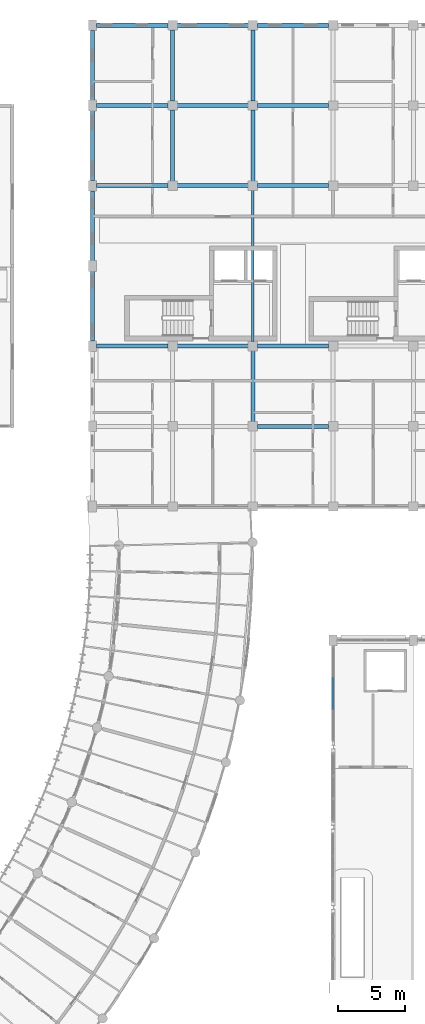
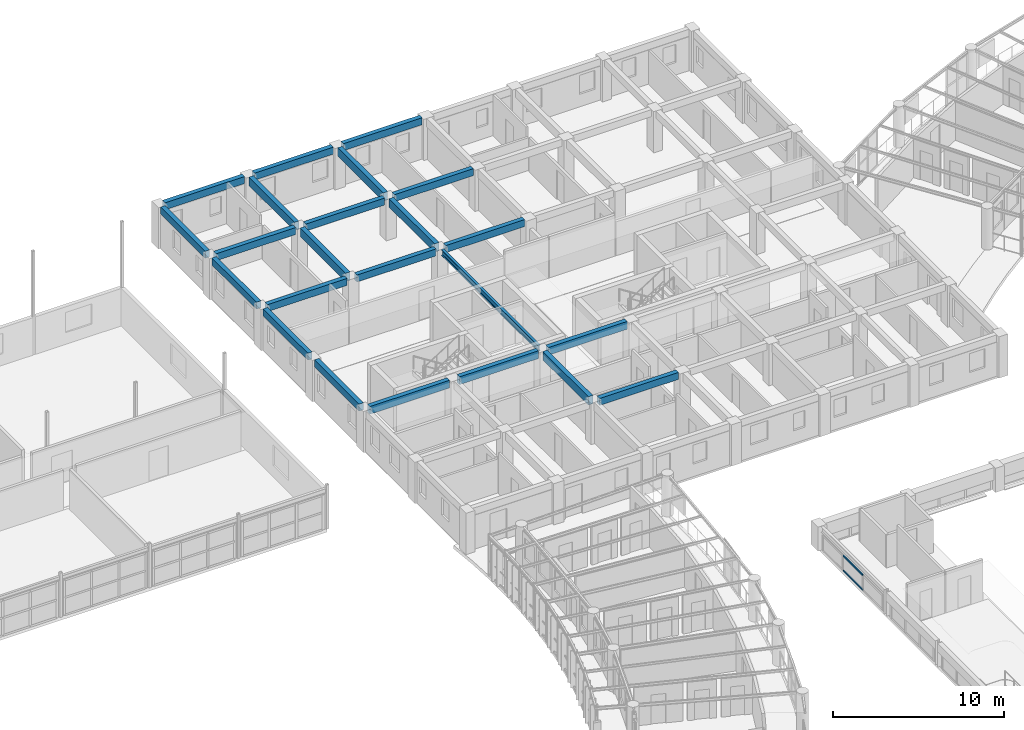
# One storey, part 42 of 137: 23 beams, 2 members, 1 element without a shape of its own.
"""IFC4 building model written with IfcOpenShell, lengths in metres."""

from ifc_helpers import new_model, si_unit, direction, frame, origin, origin_2d, place, context, subcontext, project, spatial, rectangle, i_section, extrude, material, layer, layer_set, material_profile, profile_set, type_object, element, aggregate, save


model = new_model("IFC4")

# Units and contexts
model_context = context("Model", 3, precision=1e-05, world=origin(), true_north=direction((0.0, 1.0)))
body_context = subcontext(model_context, "Body", "Model", "MODEL_VIEW")
ifc_project = project(units=[si_unit("LENGTHUNIT", "METRE"), si_unit("AREAUNIT", "SQUARE_METRE"), si_unit("VOLUMEUNIT", "CUBIC_METRE"), si_unit("PLANEANGLEUNIT", "RADIAN"), si_unit("MASSUNIT", "GRAM", prefix="KILO"), si_unit("POWERUNIT", "WATT"), si_unit("THERMODYNAMICTEMPERATUREUNIT", "KELVIN")], contexts=[model_context])

# Site, building, storey
site_placement = place(None, origin())
site = spatial("IfcSite", under=ifc_project, at=site_placement, CompositionType="ELEMENT")
building_placement = place(site_placement, origin())
building = spatial("IfcBuilding", under=site, at=building_placement, Name="Ruvembo Vaulted Housing Court", CompositionType="ELEMENT")
storey_placement = place(building_placement, frame((0.0, 0.0, 4.5)))
storey = spatial("IfcBuildingStorey", under=building, at=storey_placement, Name="L01", CompositionType="ELEMENT", Elevation=4.5)

# Beams
ifc_material_1 = material(Name="Concrete C35/45", Category="concrete")
ifc_material_profile_1 = material_profile(ifc_material_1, rectangle(XDim=0.300048828125, YDim=0.550048828125, at=origin_2d()), Name="RC 300x550")
ifc_profile_set_1 = profile_set([ifc_material_profile_1], Name="Concrete C35/45")
beam_type_1 = type_object("IfcBeamType", Name="BM-RC-300x550", PredefinedType="BEAM", material=ifc_profile_set_1)
beam_1_placement = place(storey_placement, frame((48.284912109375, 90.0, 2.669921875), z_axis=(1.0, 0.0, 0.0), x_axis=(0.0, 1.0, 0.0)))
element("IfcBeam", 1, at=beam_1_placement, inside=storey, type_object=beam_type_1, Name="L01 Grid Beam X #1264", PredefinedType="BEAM", context=body_context, shape_type="SweptSolid", body=[
    extrude(rectangle(XDim=0.300048828125, YDim=0.550048828125, at=origin_2d()), origin(), (0.0, 0.0, 1.0), 5.380126953125),
])
for number, where, z_axis, x_axis, name in (
    (2, (54.3349609375, 90.0, 2.669921875), (1.0, 0.0, 0.0), (0.0, 1.0, 0.0), "L01 Grid Beam X #1265"),
    (3, (60.3349609375, 90.0, 2.669921875), (1.0, 0.0, 0.0), (0.0, 1.0, 0.0), "L01 Grid Beam X #1266"),
):
    element("IfcBeam", number, at=place(storey_placement, frame(where, z_axis=z_axis, x_axis=x_axis)), inside=storey, type_object=beam_type_1, Name=name, PredefinedType="BEAM", context=body_context, shape_type="SweptSolid", body=[
        extrude(rectangle(XDim=0.300048828125, YDim=0.550048828125, at=origin_2d()), origin(), (0.0, 0.0, 1.0), 5.330078125),
    ])
ifc_material_profile_2 = material_profile(ifc_material_1, rectangle(XDim=0.300048828125, YDim=0.60009765625, at=origin_2d()), Name="RC 300x600")
ifc_profile_set_2 = profile_set([ifc_material_profile_2], Name="Concrete C35/45")
beam_type_2 = type_object("IfcBeamType", Name="BM-RC-300x600", PredefinedType="BEAM", material=ifc_profile_set_2)
for number, where, z_axis, x_axis, name in (
    (4, (54.0, 102.3349609375, 2.64501953125), (0.0, 1.0, 0.0), (-1.0, 0.0, 0.0), "L01 Grid Beam Y #1351"),
    (5, (54.0, 108.3349609375, 2.64501953125), (0.0, 1.0, 0.0), (-1.0, 0.0, 0.0), "L01 Grid Beam Y #1352"),
    (6, (60.0, 84.3349609375, 2.64501953125), (0.0, 1.0, 0.0), (-1.0, 0.0, 0.0), "L01 Grid Beam Y #1354"),
    (7, (60.0, 102.3349609375, 2.64501953125), (0.0, 1.0, 0.0), (-1.0, 0.0, 0.0), "L01 Grid Beam Y #1356"),
    (8, (60.0, 108.3349609375, 2.64501953125), (0.0, 1.0, 0.0), (-1.0, 0.0, 0.0), "L01 Grid Beam Y #1357"),
):
    element("IfcBeam", number, at=place(storey_placement, frame(where, z_axis=z_axis, x_axis=x_axis)), inside=storey, type_object=beam_type_2, Name=name, PredefinedType="BEAM", context=body_context, shape_type="SweptSolid", body=[
        extrude(rectangle(XDim=0.300048828125, YDim=0.60009765625, at=origin_2d()), origin(), (0.0, 0.0, 1.0), 5.330078125),
    ])
ifc_material_2 = material(Name="Steel S355J2", Category="steel")
ifc_material_profile_3 = material_profile(ifc_material_2, i_section(OverallWidth=0.179931640625, OverallDepth=0.39990234375, WebThickness=0.008544921875, FlangeThickness=0.013427734375, FilletRadius=0.02099609375, at=origin_2d()), Name="IPE 400")
ifc_profile_set_3 = profile_set([ifc_material_profile_3], Name="Steel S355J2")
beam_type_3 = type_object("IfcBeamType", Name="BM-ST-IPE400", PredefinedType="BEAM", material=ifc_profile_set_3)
beam_2_placement = place(storey_placement, frame((60.0, 90.3349609375, 2.72607421875), z_axis=(0.0, 1.0, 0.0), x_axis=(-1.0, 0.0, 0.0)))
element("IfcBeam", 9, at=beam_2_placement, inside=storey, type_object=beam_type_3, Name="L01 Grid Beam Y #1355", PredefinedType="BEAM", context=body_context, shape_type="SweptSolid", body=[
    extrude(i_section(OverallWidth=0.179931640625, OverallDepth=0.39990234375, WebThickness=0.008544921875, FlangeThickness=0.013427734375, FilletRadius=0.02099609375, at=origin_2d()), origin(), (0.0, 0.0, 1.0), 11.330078125),
])

# Curtain wall, members
ifc_material_3 = material(Name="Anodised Aluminium and Solar-Control Glass", Category="aluminium")
ifc_layer = layer(ifc_material_3, 0.179931640625, Name="Anodised Aluminium and Solar-Control Glass")
ifc_layer_set = layer_set([ifc_layer], Name="Anodised Aluminium and Solar-Control Glass")
curtain_wall_type = type_object("IfcCurtainWallType", Name="CW-HALL-TYMP", PredefinedType="NOTDEFINED", material=ifc_layer_set)
curtain_wall_placement = place(storey_placement, origin())
curtain_wall = element("IfcCurtainWall", 10, at=curtain_wall_placement, inside=storey, type_object=curtain_wall_type, Name="L01 Curtain Wall CW-L01-0120", PredefinedType="NOTDEFINED")
ifc_material_4 = material(Name="Anodised Aluminium 6063-T6", Category="aluminium")
ifc_material_profile_4 = material_profile(ifc_material_4, rectangle(XDim=0.06005859375, YDim=0.1201171875, at=origin_2d()), Name="ALU 60x120")
ifc_profile_set_4 = profile_set([ifc_material_profile_4], Name="Anodised Aluminium 6063-T6")
member_type = type_object("IfcMemberType", Name="CW-TRANSOM-65x120", PredefinedType="USERDEFINED", material=ifc_profile_set_4)
member_1_placement = place(storey_placement, frame((66.0, 62.8466796875, 0.030029296875), z_axis=(0.0, 1.0, 0.0), x_axis=(-1.0, 0.0, 0.0)))
member_1 = element("IfcMember", 11, at=member_1_placement, type_object=member_type, Name="CW2 transom 2.1", ObjectType="TRANSOM", PredefinedType="USERDEFINED", context=body_context, shape_type="SweptSolid", body=[
    extrude(rectangle(XDim=0.06005859375, YDim=0.1201171875, at=origin_2d()), origin(), (0.0, 0.0, 1.0), 2.306640625),
])
member_2_placement = place(storey_placement, frame((66.0, 62.8466796875, 1.070068359375), z_axis=(0.0, 1.0, 0.0), x_axis=(-1.0, 0.0, 0.0)))
member_2 = element("IfcMember", 12, at=member_2_placement, type_object=member_type, Name="CW2 transom 2.2", ObjectType="TRANSOM", PredefinedType="USERDEFINED", context=body_context, shape_type="SweptSolid", body=[
    extrude(rectangle(XDim=0.06005859375, YDim=0.1201171875, at=origin_2d()), origin(), (0.0, 0.0, 1.0), 2.306640625),
])
aggregate(curtain_wall, [member_1, member_2])

# Beams
ifc_material_profile_5 = material_profile(ifc_material_1, rectangle(XDim=0.300048828125, YDim=0.5, at=origin_2d()), Name="RC 300x500")
ifc_profile_set_5 = profile_set([ifc_material_profile_5], Name="Concrete C35/45")
beam_type_4 = type_object("IfcBeamType", Name="SP-RC-300x500", PredefinedType="SPANDREL", material=ifc_profile_set_5)
beam_3_placement = place(storey_placement, frame((60.3349609375, 84.0, 2.695068359375), z_axis=(1.0, 0.0, 0.0), x_axis=(0.0, 1.0, 0.0)))
element("IfcBeam", 13, at=beam_3_placement, inside=storey, type_object=beam_type_4, Name="L01 Grid Beam X #1254", PredefinedType="SPANDREL", context=body_context, shape_type="SweptSolid", body=[
    extrude(rectangle(XDim=0.300048828125, YDim=0.5, at=origin_2d()), origin(), (0.0, 0.0, 1.0), 5.330078125),
])
beam_4_placement = place(storey_placement, frame((48.284912109375, 102.0, 2.695068359375), z_axis=(1.0, 0.0, 0.0), x_axis=(0.0, 1.0, 0.0)))
element("IfcBeam", 14, at=beam_4_placement, inside=storey, type_object=beam_type_4, Name="L01 Grid Beam X #1278", PredefinedType="SPANDREL", context=body_context, shape_type="SweptSolid", body=[
    extrude(rectangle(XDim=0.300048828125, YDim=0.5, at=origin_2d()), origin(), (0.0, 0.0, 1.0), 5.380126953125),
])
for number, where, z_axis, x_axis, name in (
    (15, (54.3349609375, 102.0, 2.695068359375), (1.0, 0.0, 0.0), (0.0, 1.0, 0.0), "L01 Grid Beam X #1279"),
    (16, (60.3349609375, 102.0, 2.695068359375), (1.0, 0.0, 0.0), (0.0, 1.0, 0.0), "L01 Grid Beam X #1280"),
):
    element("IfcBeam", number, at=place(storey_placement, frame(where, z_axis=z_axis, x_axis=x_axis)), inside=storey, type_object=beam_type_4, Name=name, PredefinedType="SPANDREL", context=body_context, shape_type="SweptSolid", body=[
        extrude(rectangle(XDim=0.300048828125, YDim=0.5, at=origin_2d()), origin(), (0.0, 0.0, 1.0), 5.330078125),
    ])
beam_5_placement = place(storey_placement, frame((48.284912109375, 108.0, 2.695068359375), z_axis=(1.0, 0.0, 0.0), x_axis=(0.0, 1.0, 0.0)))
element("IfcBeam", 17, at=beam_5_placement, inside=storey, type_object=beam_type_4, Name="L01 Grid Beam X #1290", PredefinedType="SPANDREL", context=body_context, shape_type="SweptSolid", body=[
    extrude(rectangle(XDim=0.300048828125, YDim=0.5, at=origin_2d()), origin(), (0.0, 0.0, 1.0), 5.380126953125),
])
for number, where, z_axis, x_axis, name in (
    (18, (54.3349609375, 108.0, 2.695068359375), (1.0, 0.0, 0.0), (0.0, 1.0, 0.0), "L01 Grid Beam X #1291"),
    (19, (60.3349609375, 108.0, 2.695068359375), (1.0, 0.0, 0.0), (0.0, 1.0, 0.0), "L01 Grid Beam X #1292"),
):
    element("IfcBeam", number, at=place(storey_placement, frame(where, z_axis=z_axis, x_axis=x_axis)), inside=storey, type_object=beam_type_4, Name=name, PredefinedType="SPANDREL", context=body_context, shape_type="SweptSolid", body=[
        extrude(rectangle(XDim=0.300048828125, YDim=0.5, at=origin_2d()), origin(), (0.0, 0.0, 1.0), 5.330078125),
    ])
beam_6_placement = place(storey_placement, frame((48.284912109375, 114.0, 2.695068359375), z_axis=(1.0, 0.0, 0.0), x_axis=(0.0, 1.0, 0.0)))
element("IfcBeam", 20, at=beam_6_placement, inside=storey, type_object=beam_type_4, Name="L01 Grid Beam X #1302", PredefinedType="SPANDREL", context=body_context, shape_type="SweptSolid", body=[
    extrude(rectangle(XDim=0.300048828125, YDim=0.5, at=origin_2d()), origin(), (0.0, 0.0, 1.0), 5.380126953125),
])
for number, where, z_axis, x_axis, name in (
    (21, (54.3349609375, 114.0, 2.695068359375), (1.0, 0.0, 0.0), (0.0, 1.0, 0.0), "L01 Grid Beam X #1303"),
    (22, (60.3349609375, 114.0, 2.695068359375), (1.0, 0.0, 0.0), (0.0, 1.0, 0.0), "L01 Grid Beam X #1304"),
):
    element("IfcBeam", number, at=place(storey_placement, frame(where, z_axis=z_axis, x_axis=x_axis)), inside=storey, type_object=beam_type_4, Name=name, PredefinedType="SPANDREL", context=body_context, shape_type="SweptSolid", body=[
        extrude(rectangle(XDim=0.300048828125, YDim=0.5, at=origin_2d()), origin(), (0.0, 0.0, 1.0), 5.330078125),
    ])
for number, where, z_axis, x_axis, name in (
    (23, (48.0, 90.385009765625, 2.695068359375), (0.0, 1.0, 0.0), (-1.0, 0.0, 0.0), "L01 Grid Beam Y #1345"),
    (24, (48.0, 96.385009765625, 2.695068359375), (0.0, 1.0, 0.0), (-1.0, 0.0, 0.0), "L01 Grid Beam Y #1346"),
    (25, (48.0, 102.385009765625, 2.695068359375), (0.0, 1.0, 0.0), (-1.0, 0.0, 0.0), "L01 Grid Beam Y #1347"),
    (26, (48.0, 108.385009765625, 2.695068359375), (0.0, 1.0, 0.0), (-1.0, 0.0, 0.0), "L01 Grid Beam Y #1348"),
):
    element("IfcBeam", number, at=place(storey_placement, frame(where, z_axis=z_axis, x_axis=x_axis)), inside=storey, type_object=beam_type_4, Name=name, PredefinedType="SPANDREL", context=body_context, shape_type="SweptSolid", body=[
        extrude(rectangle(XDim=0.300048828125, YDim=0.5, at=origin_2d()), origin(), (0.0, 0.0, 1.0), 5.22998046875),
    ])

save(model, "model.ifc")
